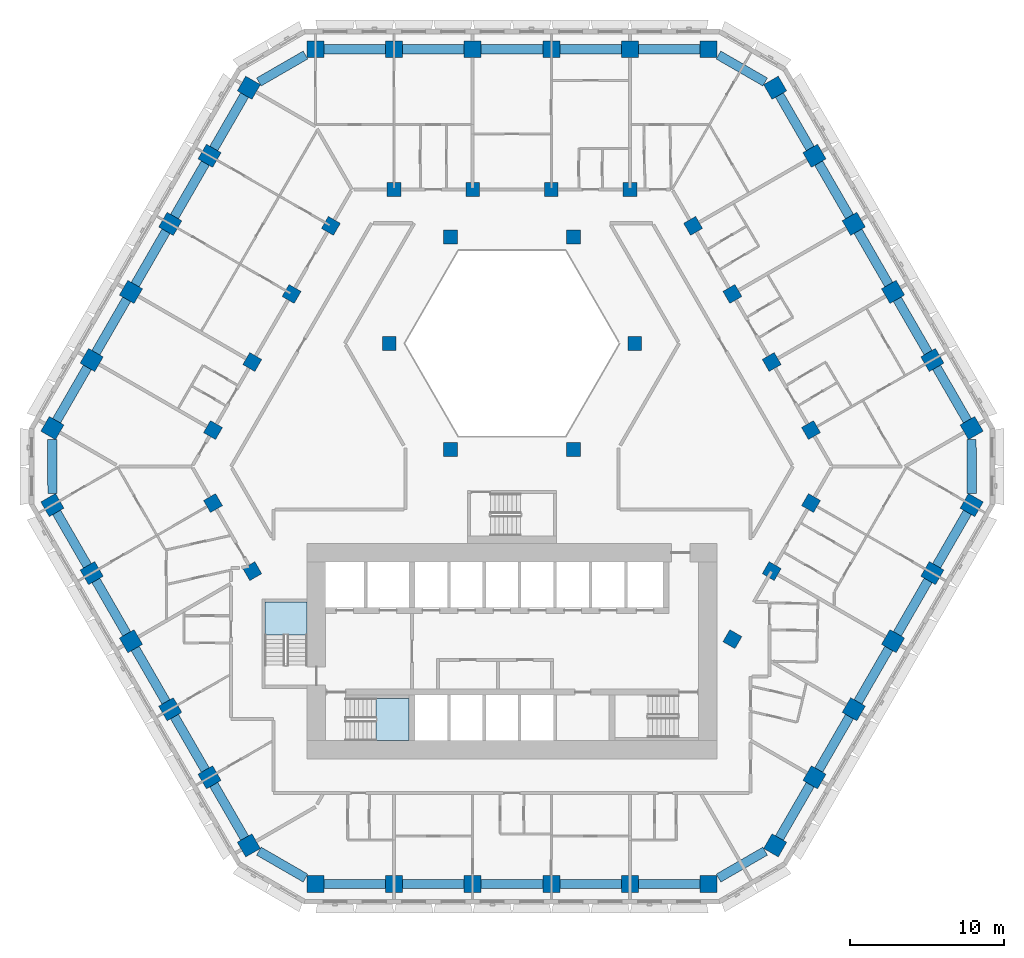
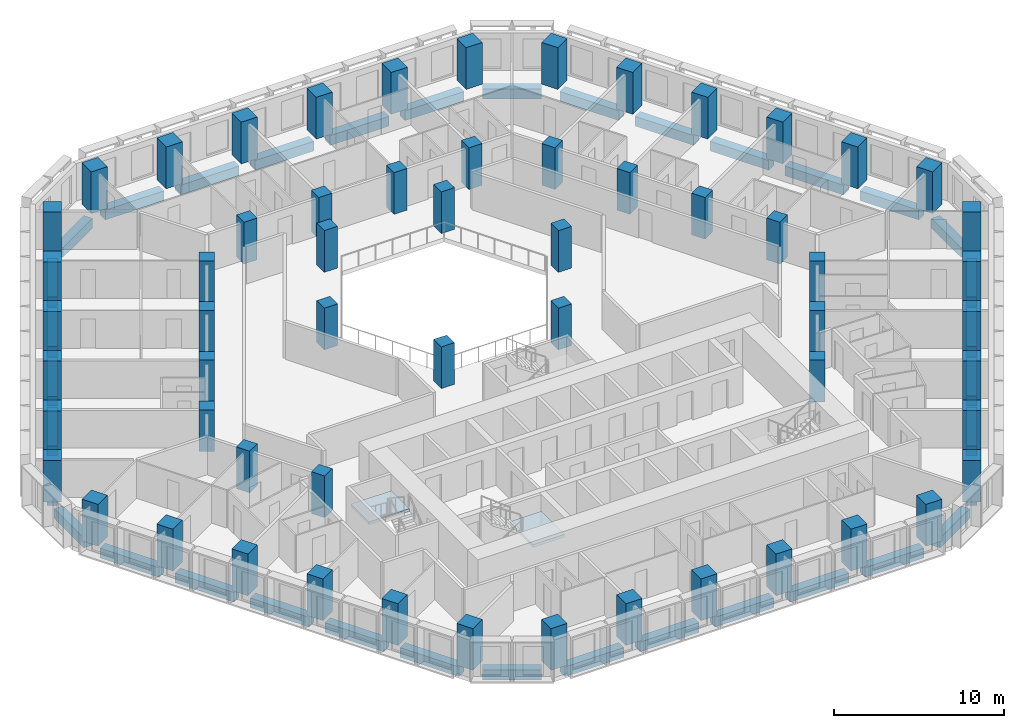
# One storey, part 1 of 21: 59 columns, 36 beams, 2 slabs, 2 elements without a shape of their own.
"""IFC4 building model written with IfcOpenShell, lengths in metres."""

from ifc_helpers import new_model, si_unit, direction, frame, origin, origin_2d, place, context, subcontext, project, spatial, polyline, rectangle, outline, extrude, material, layer, layer_set, material_profile, profile_set, type_object, element, aggregate, save


model = new_model("IFC4")

# Units and contexts
model_context = context("Model", 3, precision=1e-05, world=origin(), true_north=direction((0.0, 1.0)))
body_context = subcontext(model_context, "Body", "Model", "MODEL_VIEW")
ifc_project = project(units=[si_unit("LENGTHUNIT", "METRE"), si_unit("AREAUNIT", "SQUARE_METRE"), si_unit("VOLUMEUNIT", "CUBIC_METRE"), si_unit("PLANEANGLEUNIT", "RADIAN"), si_unit("MASSUNIT", "GRAM", prefix="KILO")], contexts=[model_context])

# Site, building, storey
site_placement = place(None, origin())
site = spatial("IfcSite", under=ifc_project, at=site_placement, CompositionType="ELEMENT")
building_placement = place(site_placement, origin())
building = spatial("IfcBuilding", under=site, at=building_placement, Name="Beryl Residences", CompositionType="ELEMENT")
storey_placement = place(building_placement, frame((0.0, 0.0, 41.39990234375)))
storey = spatial("IfcBuildingStorey", under=building, at=storey_placement, Name="L12", CompositionType="ELEMENT", Elevation=41.39990234375)

# Columns
ifc_material_1 = material(Name="Concrete C80/95", Category="concrete")
ifc_material_profile_1 = material_profile(ifc_material_1, rectangle(XDim=1.10009765625, YDim=1.10009765625, at=origin_2d()))
ifc_profile_set_1 = profile_set([ifc_material_profile_1], Name="Concrete C80/95")
column_type_1 = type_object("IfcColumnType", Name="C1 tube column 1100 x 1100 C80/95", PredefinedType="COLUMN", material=ifc_profile_set_1)
for number, where, z_axis, x_axis, name in (
    (1, (12.759033203125, 27.10009765625, 0.0), (0.0, 0.0, 1.0), (-1.0, 0.0, 0.0), "C1-N1 L12"),
    (2, (7.655029296875, 27.10009765625, 0.0), (0.0, 0.0, 1.0), (-1.0, 0.0, 0.0), "C1-N2 L12"),
    (3, (2.551025390625, 27.10009765625, 0.0), (0.0, 0.0, 1.0), (-1.0, 0.0, 0.0), "C1-N3 L12"),
    (4, (-2.552978515625, 27.10009765625, 0.0), (0.0, 0.0, 1.0), (-1.0, 0.0, 0.0), "C1-N4 L12"),
    (5, (-7.656982421875, 27.10009765625, 0.0), (0.0, 0.0, 1.0), (-1.0, 0.0, 0.0), "C1-N5 L12"),
    (6, (-12.760986328125, 27.10009765625, 0.0), (0.0, 0.0, 1.0), (-1.0, 0.0, 0.0), "C1-N6 L12"),
    (7, (-17.090087890625, 24.60009765625, 0.0), (0.0, 0.0, 1.0), (-0.499984884929, -0.866034130299, 0.0), "C1-NW1 L12"),
    (8, (-19.64208984375, 20.179931640625, 0.0), (0.0, 0.0, 1.0), (-0.499984884929, -0.866034130299, 0.0), "C1-NW2 L12"),
    (9, (-22.194091796875, 15.759033203125, 0.0), (0.0, 0.0, 1.0), (-0.499984884929, -0.866034130299, 0.0), "C1-NW3 L12"),
    (10, (-24.74609375, 11.339111328125, 0.0), (0.0, 0.0, 1.0), (-0.499984884929, -0.866034130299, 0.0), "C1-NW4 L12"),
    (11, (-27.298095703125, 6.9189453125, 0.0), (0.0, 0.0, 1.0), (-0.499984884929, -0.866034130299, 0.0), "C1-NW5 L12"),
    (12, (-29.84912109375, 2.4990234375, 0.0), (0.0, 0.0, 1.0), (-0.499984884929, -0.866034130299, 0.0), "C1-NW6 L12"),
    (13, (-29.847900390625, -2.5, 0.0), (0.0, 0.0, 1.0), (0.499984884929, -0.866034130299, 0.0), "C1-SW1 L12"),
    (14, (-27.297119140625, -6.9208984375, 0.0), (0.0, 0.0, 1.0), (0.499984884929, -0.866034130299, 0.0), "C1-SW2 L12"),
    (15, (-24.7451171875, -11.341064453125, 0.0), (0.0, 0.0, 1.0), (0.499984884929, -0.866034130299, 0.0), "C1-SW3 L12"),
    (16, (-22.193115234375, -15.760986328125, 0.0), (0.0, 0.0, 1.0), (0.499984884929, -0.866034130299, 0.0), "C1-SW4 L12"),
    (17, (-19.64111328125, -20.180908203125, 0.0), (0.0, 0.0, 1.0), (0.499984884929, -0.866034130299, 0.0), "C1-SW5 L12"),
    (18, (-17.089111328125, -24.60107421875, 0.0), (0.0, 0.0, 1.0), (0.499984884929, -0.866034130299, 0.0), "C1-SW6 L12"),
    (19, (-12.759033203125, -27.10009765625, 0.0), (0.0, 0.0, 1.0), (1.0, 0.0, 0.0), "C1-S1 L12"),
    (20, (-7.655029296875, -27.10009765625, 0.0), (0.0, 0.0, 1.0), (1.0, 0.0, 0.0), "C1-S2 L12"),
    (21, (-2.551025390625, -27.10009765625, 0.0), (0.0, 0.0, 1.0), (1.0, 0.0, 0.0), "C1-S3 L12"),
    (22, (2.552978515625, -27.10009765625, 0.0), (0.0, 0.0, 1.0), (1.0, 0.0, 0.0), "C1-S4 L12"),
    (23, (7.656982421875, -27.10009765625, 0.0), (0.0, 0.0, 1.0), (1.0, 0.0, 0.0), "C1-S5 L12"),
    (24, (12.760986328125, -27.10009765625, 0.0), (0.0, 0.0, 1.0), (1.0, 0.0, 0.0), "C1-S6 L12"),
    (25, (17.090087890625, -24.60009765625, 0.0), (0.0, 0.0, 1.0), (0.499984884929, 0.866034130299, 0.0), "C1-SE1 L12"),
    (26, (19.64208984375, -20.179931640625, 0.0), (0.0, 0.0, 1.0), (0.499984884929, 0.866034130299, 0.0), "C1-SE2 L12"),
    (27, (22.194091796875, -15.759033203125, 0.0), (0.0, 0.0, 1.0), (0.499984884929, 0.866034130299, 0.0), "C1-SE3 L12"),
    (28, (24.74609375, -11.339111328125, 0.0), (0.0, 0.0, 1.0), (0.499984884929, 0.866034130299, 0.0), "C1-SE4 L12"),
    (29, (27.298095703125, -6.9189453125, 0.0), (0.0, 0.0, 1.0), (0.499984884929, 0.866034130299, 0.0), "C1-SE5 L12"),
    (30, (29.84912109375, -2.4990234375, 0.0), (0.0, 0.0, 1.0), (0.499984884929, 0.866034130299, 0.0), "C1-SE6 L12"),
    (31, (29.847900390625, 2.5, 0.0), (0.0, 0.0, 1.0), (-0.499984884929, 0.866034130299, 0.0), "C1-NE1 L12"),
    (32, (27.297119140625, 6.9208984375, 0.0), (0.0, 0.0, 1.0), (-0.499984884929, 0.866034130299, 0.0), "C1-NE2 L12"),
    (33, (24.7451171875, 11.341064453125, 0.0), (0.0, 0.0, 1.0), (-0.499984884929, 0.866034130299, 0.0), "C1-NE3 L12"),
    (34, (22.193115234375, 15.760986328125, 0.0), (0.0, 0.0, 1.0), (-0.499984884929, 0.866034130299, 0.0), "C1-NE4 L12"),
    (35, (19.64111328125, 20.180908203125, 0.0), (0.0, 0.0, 1.0), (-0.499984884929, 0.866034130299, 0.0), "C1-NE5 L12"),
    (36, (17.089111328125, 24.60107421875, 0.0), (0.0, 0.0, 1.0), (-0.499984884929, 0.866034130299, 0.0), "C1-NE6 L12"),
):
    element("IfcColumn", number, at=place(storey_placement, frame(where, z_axis=z_axis, x_axis=x_axis)), inside=storey, type_object=column_type_1, Name=name, PredefinedType="COLUMN", context=body_context, shape_type="SweptSolid", body=[
        extrude(rectangle(XDim=1.10009765625, YDim=1.10009765625, at=origin_2d()), origin(), (0.0, 0.0, 1.0), 3.0),
    ])
ifc_material_2 = material(Name="Concrete C80/95", Category="concrete")
ifc_material_profile_2 = material_profile(ifc_material_2, rectangle(XDim=0.89990234375, YDim=0.89990234375, at=origin_2d()))
ifc_profile_set_2 = profile_set([ifc_material_profile_2], Name="Concrete C80/95")
column_type_2 = type_object("IfcColumnType", Name="IC1 interior column 900 x 900 C80/95", PredefinedType="COLUMN", material=ifc_profile_set_2)
for number, where, z_axis, x_axis, name in (
    (37, (-19.416015625, -2.37109375, 0.0), (0.0, 0.0, 1.0), (0.499984884929, -0.866034130299, 0.0), "IC1-M01 L12"),
    (38, (-16.864013671875, -6.791015625, 0.0), (0.0, 0.0, 1.0), (0.499984884929, -0.866034130299, 0.0), "IC1-M02 L12"),
    (39, (14.31298828125, -11.208984375, 0.0), (0.0, 0.0, 1.0), (0.499984884929, 0.866034130299, 0.0), "IC1-M03 L12"),
    (40, (16.864990234375, -6.7890625, 0.0), (0.0, 0.0, 1.0), (0.499984884929, 0.866034130299, 0.0), "IC1-M04 L12"),
    (41, (19.4169921875, -2.368896484375, 0.0), (0.0, 0.0, 1.0), (0.499984884929, 0.866034130299, 0.0), "IC1-M05 L12"),
    (42, (19.416015625, 2.37109375, 0.0), (0.0, 0.0, 1.0), (-0.499984884929, 0.866034130299, 0.0), "IC1-M06 L12"),
    (43, (3.98388671875, 1.10009765625, 0.0), (0.0, 0.0, 1.0), (1.0, 0.0, 0.0), "IC1-A07 L12"),
    (44, (16.864013671875, 6.791015625, 0.0), (0.0, 0.0, 1.0), (-0.499984884929, 0.866034130299, 0.0), "IC1-M08 L12"),
    (45, (14.31201171875, 11.2109375, 0.0), (0.0, 0.0, 1.0), (-0.499984884929, 0.866034130299, 0.0), "IC1-M09 L12"),
    (46, (7.967041015625, 8.0, 0.0), (0.0, 0.0, 1.0), (1.0, 0.0, 0.0), "IC1-A10 L12"),
    (47, (11.760009765625, 15.631103515625, 0.0), (0.0, 0.0, 1.0), (-0.499984884929, 0.866034130299, 0.0), "IC1-M11 L12"),
    (48, (7.655029296875, 18.0, 0.0), (0.0, 0.0, 1.0), (-1.0, 0.0, 0.0), "IC1-M12 L12"),
    (49, (3.98388671875, 14.89990234375, 0.0), (0.0, 0.0, 1.0), (1.0, 0.0, 0.0), "IC1-A13 L12"),
    (50, (2.551025390625, 18.0, 0.0), (0.0, 0.0, 1.0), (-1.0, 0.0, 0.0), "IC1-M14 L12"),
    (51, (-2.552978515625, 18.0, 0.0), (0.0, 0.0, 1.0), (-1.0, 0.0, 0.0), "IC1-M15 L12"),
    (52, (-3.98388671875, 14.89990234375, 0.0), (0.0, 0.0, 1.0), (1.0, 0.0, 0.0), "IC1-A16 L12"),
    (53, (-7.656982421875, 18.0, 0.0), (0.0, 0.0, 1.0), (-1.0, 0.0, 0.0), "IC1-M17 L12"),
    (54, (-11.760986328125, 15.6298828125, 0.0), (0.0, 0.0, 1.0), (-0.499984884929, -0.866034130299, 0.0), "IC1-M18 L12"),
    (55, (-7.967041015625, 8.0, 0.0), (0.0, 0.0, 1.0), (1.0, 0.0, 0.0), "IC1-A19 L12"),
    (56, (-14.31298828125, 11.208984375, 0.0), (0.0, 0.0, 1.0), (-0.499984884929, -0.866034130299, 0.0), "IC1-M20 L12"),
    (57, (-16.864990234375, 6.7890625, 0.0), (0.0, 0.0, 1.0), (-0.499984884929, -0.866034130299, 0.0), "IC1-M21 L12"),
    (58, (-3.98388671875, 1.10009765625, 0.0), (0.0, 0.0, 1.0), (1.0, 0.0, 0.0), "IC1-A22 L12"),
    (59, (-19.4169921875, 2.368896484375, 0.0), (0.0, 0.0, 1.0), (-0.499984884929, -0.866034130299, 0.0), "IC1-M23 L12"),
):
    element("IfcColumn", number, at=place(storey_placement, frame(where, z_axis=z_axis, x_axis=x_axis)), inside=storey, type_object=column_type_2, Name=name, PredefinedType="COLUMN", context=body_context, shape_type="SweptSolid", body=[
        extrude(rectangle(XDim=0.89990234375, YDim=0.89990234375, at=origin_2d()), origin(), (0.0, 0.0, 1.0), 3.0),
    ])

# Beams
ifc_material_3 = material(Name="Concrete C80/95", Category="concrete")
ifc_material_profile_3 = material_profile(ifc_material_3, rectangle(XDim=0.60009765625, YDim=0.699951171875, at=origin_2d()))
ifc_profile_set_3 = profile_set([ifc_material_profile_3], Name="Concrete C80/95")
beam_type = type_object("IfcBeamType", Name="SB1 spandrel beam 600 x 700 C80/95", PredefinedType="SPANDREL", material=ifc_profile_set_3)
for number, where, z_axis, x_axis, name in (
    (60, (12.208984375, 27.10009765625, -0.64990234375), (-1.0, 0.0, 0.0), (0.0, -1.0, 0.0), "SB1 L12 N-0"),
    (61, (7.10498046875, 27.10009765625, -0.64990234375), (-1.0, 0.0, 0.0), (0.0, -1.0, 0.0), "SB1 L12 N-1"),
    (62, (2.0009765625, 27.10009765625, -0.64990234375), (-1.0, 0.0, 0.0), (0.0, -1.0, 0.0), "SB1 L12 N-2"),
    (63, (-3.10302734375, 27.10009765625, -0.64990234375), (-1.0, 0.0, 0.0), (0.0, -1.0, 0.0), "SB1 L12 N-3"),
    (64, (-8.20703125, 27.10009765625, -0.64990234375), (-1.0, 0.0, 0.0), (0.0, -1.0, 0.0), "SB1 L12 N-4"),
):
    element("IfcBeam", number, at=place(storey_placement, frame(where, z_axis=z_axis, x_axis=x_axis)), inside=storey, type_object=beam_type, Name=name, PredefinedType="SPANDREL", context=body_context, shape_type="SweptSolid", body=[
        extrude(rectangle(XDim=0.60009765625, YDim=0.699951171875, at=origin_2d()), origin(), (0.0, 0.0, 1.0), 4.00390625),
    ])
beam_1_placement = place(storey_placement, frame((-13.410888671875, 26.72412109375, -0.64990234375), z_axis=(-0.866121658299, -0.499833245218, 0.0), x_axis=(0.499833245218, -0.866121658299, 0.0)))
element("IfcBeam", 65, at=beam_1_placement, inside=storey, type_object=beam_type, Name="SB1 L12 N-5", PredefinedType="SPANDREL", context=body_context, shape_type="SweptSolid", body=[
    extrude(rectangle(XDim=0.60009765625, YDim=0.699951171875, at=origin_2d()), origin(), (0.0, 0.0, 1.0), 3.497314453125),
])
beam_2_placement = place(storey_placement, frame((-17.364990234375, 24.1240234375, -0.64990234375), z_axis=(-0.499942357345, -0.866058681229, 0.0), x_axis=(0.866058681229, -0.499942357345, 0.0)))
element("IfcBeam", 66, at=beam_2_placement, inside=storey, type_object=beam_type, Name="SB1 L12 NW-0", PredefinedType="SPANDREL", context=body_context, shape_type="SweptSolid", body=[
    extrude(rectangle(XDim=0.60009765625, YDim=0.699951171875, at=origin_2d()), origin(), (0.0, 0.0, 1.0), 4.00439453125),
])
beam_3_placement = place(storey_placement, frame((-19.9169921875, 19.7041015625, -0.64990234375), z_axis=(-0.499836783367, -0.866119616446, 0.0), x_axis=(0.866119616446, -0.499836783367, 0.0)))
element("IfcBeam", 67, at=beam_3_placement, inside=storey, type_object=beam_type, Name="SB1 L12 NW-1", PredefinedType="SPANDREL", context=body_context, shape_type="SweptSolid", body=[
    extrude(rectangle(XDim=0.60009765625, YDim=0.699951171875, at=origin_2d()), origin(), (0.0, 0.0, 1.0), 4.005126953125),
])
for number, where, z_axis, x_axis, name in (
    (68, (-22.468994140625, 15.282958984375, -0.64990234375), (-0.499942357345, -0.866058681229, 0.0), (0.866058681229, -0.499942357345, 0.0), "SB1 L12 NW-2"),
    (69, (-25.02099609375, 10.863037109375, -0.64990234375), (-0.499942357345, -0.866058681229, 0.0), (0.866058681229, -0.499942357345, 0.0), "SB1 L12 NW-3"),
):
    element("IfcBeam", number, at=place(storey_placement, frame(where, z_axis=z_axis, x_axis=x_axis)), inside=storey, type_object=beam_type, Name=name, PredefinedType="SPANDREL", context=body_context, shape_type="SweptSolid", body=[
        extrude(rectangle(XDim=0.60009765625, YDim=0.699951171875, at=origin_2d()), origin(), (0.0, 0.0, 1.0), 4.00439453125),
    ])
beam_4_placement = place(storey_placement, frame((-27.572998046875, 6.443115234375, -0.64990234375), z_axis=(-0.499759404093, -0.866164267342, 0.0), x_axis=(0.866164267342, -0.499759404093, 0.0)))
element("IfcBeam", 70, at=beam_4_placement, inside=storey, type_object=beam_type, Name="SB1 L12 NW-4", PredefinedType="SPANDREL", context=body_context, shape_type="SweptSolid", body=[
    extrude(rectangle(XDim=0.60009765625, YDim=0.699951171875, at=origin_2d()), origin(), (0.0, 0.0, 1.0), 4.00390625),
])
beam_5_placement = place(storey_placement, frame((-29.84912109375, 1.748046875, -0.64990234375), z_axis=(0.000349064486, -0.999999939077, 0.0), x_axis=(0.999999939077, 0.000349064486, 0.0)))
element("IfcBeam", 71, at=beam_5_placement, inside=storey, type_object=beam_type, Name="SB1 L12 NW-5", PredefinedType="SPANDREL", context=body_context, shape_type="SweptSolid", body=[
    extrude(rectangle(XDim=0.60009765625, YDim=0.699951171875, at=origin_2d()), origin(), (0.0, 0.0, 1.0), 3.4970703125),
])
beam_6_placement = place(storey_placement, frame((-29.572998046875, -2.97607421875, -0.64990234375), z_axis=(0.499653843024, -0.866225165388, 0.0), x_axis=(0.866225165388, 0.499653843024, 0.0)))
element("IfcBeam", 72, at=beam_6_placement, inside=storey, type_object=beam_type, Name="SB1 L12 SW-0", PredefinedType="SPANDREL", context=body_context, shape_type="SweptSolid", body=[
    extrude(rectangle(XDim=0.60009765625, YDim=0.699951171875, at=origin_2d()), origin(), (0.0, 0.0, 1.0), 4.004638671875),
])
for number, where, z_axis, x_axis, name in (
    (73, (-27.02197265625, -7.39697265625, -0.64990234375), (0.499942357345, -0.866058681229, 0.0), (0.866058681229, 0.499942357345, 0.0), "SB1 L12 SW-1"),
    (74, (-24.469970703125, -11.81689453125, -0.64990234375), (0.499942357345, -0.866058681229, 0.0), (0.866058681229, 0.499942357345, 0.0), "SB1 L12 SW-2"),
    (75, (-21.91796875, -16.237060546875, -0.64990234375), (0.499942357345, -0.866058681229, 0.0), (0.866058681229, 0.499942357345, 0.0), "SB1 L12 SW-3"),
    (76, (-19.365966796875, -20.656982421875, -0.64990234375), (0.499942357345, -0.866058681229, 0.0), (0.866058681229, 0.499942357345, 0.0), "SB1 L12 SW-4"),
):
    element("IfcBeam", number, at=place(storey_placement, frame(where, z_axis=z_axis, x_axis=x_axis)), inside=storey, type_object=beam_type, Name=name, PredefinedType="SPANDREL", context=body_context, shape_type="SweptSolid", body=[
        extrude(rectangle(XDim=0.60009765625, YDim=0.699951171875, at=origin_2d()), origin(), (0.0, 0.0, 1.0), 4.00439453125),
    ])
beam_7_placement = place(storey_placement, frame((-16.43896484375, -24.97607421875, -0.64990234375), z_axis=(0.866070549782, -0.499921796684, 0.0), x_axis=(0.499921796684, 0.866070549782, 0.0)))
element("IfcBeam", 77, at=beam_7_placement, inside=storey, type_object=beam_type, Name="SB1 L12 SW-5", PredefinedType="SPANDREL", context=body_context, shape_type="SweptSolid", body=[
    extrude(rectangle(XDim=0.60009765625, YDim=0.699951171875, at=origin_2d()), origin(), (0.0, 0.0, 1.0), 3.49853515625),
])
for number, where, z_axis, x_axis, name in (
    (78, (-12.208984375, -27.10009765625, -0.64990234375), (1.0, 0.0, 0.0), (0.0, 1.0, 0.0), "SB1 L12 S-0"),
    (79, (-7.10498046875, -27.10009765625, -0.64990234375), (1.0, 0.0, 0.0), (0.0, 1.0, 0.0), "SB1 L12 S-1"),
    (80, (-2.0009765625, -27.10009765625, -0.64990234375), (1.0, 0.0, 0.0), (0.0, 1.0, 0.0), "SB1 L12 S-2"),
    (81, (3.10302734375, -27.10009765625, -0.64990234375), (1.0, 0.0, 0.0), (0.0, 1.0, 0.0), "SB1 L12 S-3"),
    (82, (8.20703125, -27.10009765625, -0.64990234375), (1.0, 0.0, 0.0), (0.0, 1.0, 0.0), "SB1 L12 S-4"),
):
    element("IfcBeam", number, at=place(storey_placement, frame(where, z_axis=z_axis, x_axis=x_axis)), inside=storey, type_object=beam_type, Name=name, PredefinedType="SPANDREL", context=body_context, shape_type="SweptSolid", body=[
        extrude(rectangle(XDim=0.60009765625, YDim=0.699951171875, at=origin_2d()), origin(), (0.0, 0.0, 1.0), 4.00390625),
    ])
beam_8_placement = place(storey_placement, frame((13.410888671875, -26.72412109375, -0.64990234375), z_axis=(0.866121658299, 0.499833245218, 0.0), x_axis=(-0.499833245218, 0.866121658299, 0.0)))
element("IfcBeam", 83, at=beam_8_placement, inside=storey, type_object=beam_type, Name="SB1 L12 S-5", PredefinedType="SPANDREL", context=body_context, shape_type="SweptSolid", body=[
    extrude(rectangle(XDim=0.60009765625, YDim=0.699951171875, at=origin_2d()), origin(), (0.0, 0.0, 1.0), 3.497314453125),
])
beam_9_placement = place(storey_placement, frame((17.364990234375, -24.1240234375, -0.64990234375), z_axis=(0.499942357345, 0.866058681229, 0.0), x_axis=(-0.866058681229, 0.499942357345, 0.0)))
element("IfcBeam", 84, at=beam_9_placement, inside=storey, type_object=beam_type, Name="SB1 L12 SE-0", PredefinedType="SPANDREL", context=body_context, shape_type="SweptSolid", body=[
    extrude(rectangle(XDim=0.60009765625, YDim=0.699951171875, at=origin_2d()), origin(), (0.0, 0.0, 1.0), 4.00439453125),
])
beam_10_placement = place(storey_placement, frame((19.9169921875, -19.7041015625, -0.64990234375), z_axis=(0.499836783367, 0.866119616446, 0.0), x_axis=(-0.866119616446, 0.499836783367, 0.0)))
element("IfcBeam", 85, at=beam_10_placement, inside=storey, type_object=beam_type, Name="SB1 L12 SE-1", PredefinedType="SPANDREL", context=body_context, shape_type="SweptSolid", body=[
    extrude(rectangle(XDim=0.60009765625, YDim=0.699951171875, at=origin_2d()), origin(), (0.0, 0.0, 1.0), 4.005126953125),
])
for number, where, z_axis, x_axis, name in (
    (86, (22.468994140625, -15.282958984375, -0.64990234375), (0.499942357345, 0.866058681229, 0.0), (-0.866058681229, 0.499942357345, 0.0), "SB1 L12 SE-2"),
    (87, (25.02099609375, -10.863037109375, -0.64990234375), (0.499942357345, 0.866058681229, 0.0), (-0.866058681229, 0.499942357345, 0.0), "SB1 L12 SE-3"),
):
    element("IfcBeam", number, at=place(storey_placement, frame(where, z_axis=z_axis, x_axis=x_axis)), inside=storey, type_object=beam_type, Name=name, PredefinedType="SPANDREL", context=body_context, shape_type="SweptSolid", body=[
        extrude(rectangle(XDim=0.60009765625, YDim=0.699951171875, at=origin_2d()), origin(), (0.0, 0.0, 1.0), 4.00439453125),
    ])
beam_11_placement = place(storey_placement, frame((27.572998046875, -6.443115234375, -0.64990234375), z_axis=(0.499759404093, 0.866164267342, 0.0), x_axis=(-0.866164267342, 0.499759404093, 0.0)))
element("IfcBeam", 88, at=beam_11_placement, inside=storey, type_object=beam_type, Name="SB1 L12 SE-4", PredefinedType="SPANDREL", context=body_context, shape_type="SweptSolid", body=[
    extrude(rectangle(XDim=0.60009765625, YDim=0.699951171875, at=origin_2d()), origin(), (0.0, 0.0, 1.0), 4.00390625),
])
beam_12_placement = place(storey_placement, frame((29.84912109375, -1.748046875, -0.64990234375), z_axis=(-0.000349064486, 0.999999939077, 0.0), x_axis=(-0.999999939077, -0.000349064486, 0.0)))
element("IfcBeam", 89, at=beam_12_placement, inside=storey, type_object=beam_type, Name="SB1 L12 SE-5", PredefinedType="SPANDREL", context=body_context, shape_type="SweptSolid", body=[
    extrude(rectangle(XDim=0.60009765625, YDim=0.699951171875, at=origin_2d()), origin(), (0.0, 0.0, 1.0), 3.4970703125),
])
beam_13_placement = place(storey_placement, frame((29.572998046875, 2.97607421875, -0.64990234375), z_axis=(-0.499653843024, 0.866225165388, 0.0), x_axis=(-0.866225165388, -0.499653843024, 0.0)))
element("IfcBeam", 90, at=beam_13_placement, inside=storey, type_object=beam_type, Name="SB1 L12 NE-0", PredefinedType="SPANDREL", context=body_context, shape_type="SweptSolid", body=[
    extrude(rectangle(XDim=0.60009765625, YDim=0.699951171875, at=origin_2d()), origin(), (0.0, 0.0, 1.0), 4.004638671875),
])
for number, where, z_axis, x_axis, name in (
    (91, (27.02197265625, 7.39697265625, -0.64990234375), (-0.499942357345, 0.866058681229, 0.0), (-0.866058681229, -0.499942357345, 0.0), "SB1 L12 NE-1"),
    (92, (24.469970703125, 11.81689453125, -0.64990234375), (-0.499942357345, 0.866058681229, 0.0), (-0.866058681229, -0.499942357345, 0.0), "SB1 L12 NE-2"),
    (93, (21.91796875, 16.237060546875, -0.64990234375), (-0.499942357345, 0.866058681229, 0.0), (-0.866058681229, -0.499942357345, 0.0), "SB1 L12 NE-3"),
    (94, (19.365966796875, 20.656982421875, -0.64990234375), (-0.499942357345, 0.866058681229, 0.0), (-0.866058681229, -0.499942357345, 0.0), "SB1 L12 NE-4"),
):
    element("IfcBeam", number, at=place(storey_placement, frame(where, z_axis=z_axis, x_axis=x_axis)), inside=storey, type_object=beam_type, Name=name, PredefinedType="SPANDREL", context=body_context, shape_type="SweptSolid", body=[
        extrude(rectangle(XDim=0.60009765625, YDim=0.699951171875, at=origin_2d()), origin(), (0.0, 0.0, 1.0), 4.00439453125),
    ])
beam_14_placement = place(storey_placement, frame((16.43896484375, 24.97607421875, -0.64990234375), z_axis=(-0.866070549782, 0.499921796684, 0.0), x_axis=(-0.499921796684, -0.866070549782, 0.0)))
element("IfcBeam", 95, at=beam_14_placement, inside=storey, type_object=beam_type, Name="SB1 L12 NE-5", PredefinedType="SPANDREL", context=body_context, shape_type="SweptSolid", body=[
    extrude(rectangle(XDim=0.60009765625, YDim=0.699951171875, at=origin_2d()), origin(), (0.0, 0.0, 1.0), 3.49853515625),
])

# Stair, slab
ifc_material_4 = material(Name="Concrete C40/50", Category="concrete")
stair_type = type_object("IfcStairType", Name="ST1 protected exit stair, half-turn, 1300 mm flights", PredefinedType="HALF_TURN_STAIR", material=ifc_material_4)
stair_1_placement = place(storey_placement, origin())
stair_1 = element("IfcStair", 96, at=stair_1_placement, inside=storey, type_object=stair_type, Name="L12 PROTECTED EXIT STAIR ST-1", PredefinedType="HALF_TURN_STAIR")
ifc_material_5 = material(Name="Concrete C40/50", Category="concrete")
ifc_layer = layer(ifc_material_5, 0.199951171875)
ifc_layer_set = layer_set([ifc_layer], Name="SLD1 stair landing 200 mm")
slab_type = type_object("IfcSlabType", Name="SLD1 stair landing 200 mm", PredefinedType="LANDING", material=ifc_layer_set)
slab_1_placement = place(storey_placement, frame((0.0, 0.0, 1.300048828125)))
slab_1 = element("IfcSlab", 97, at=slab_1_placement, type_object=slab_type, Name="ST-1 landing 1", PredefinedType="LANDING", context=body_context, shape_type="SweptSolid", body=[
    extrude(outline(polyline([(-8.840087890625, -17.800048828125), (-6.699951171875, -17.800048828125), (-6.699951171875, -15.050048828125), (-8.840087890625, -15.050048828125), (-8.840087890625, -17.800048828125)])), origin(), (0.0, 0.0, 1.0), 0.199951171875),
])
aggregate(stair_1, [slab_1])

stair_2_placement = place(storey_placement, origin())
stair_2 = element("IfcStair", 98, at=stair_2_placement, inside=storey, type_object=stair_type, Name="L12 PROTECTED EXIT STAIR ST-2", PredefinedType="HALF_TURN_STAIR")
slab_2_placement = place(storey_placement, frame((0.0, 0.0, 1.300048828125)))
slab_2 = element("IfcSlab", 99, at=slab_2_placement, type_object=slab_type, Name="ST-2 landing 1", PredefinedType="LANDING", context=body_context, shape_type="SweptSolid", body=[
    extrude(outline(polyline([(-13.300048828125, -10.93994140625), (-13.300048828125, -8.800048828125), (-16.050048828125, -8.800048828125), (-16.050048828125, -10.93994140625), (-13.300048828125, -10.93994140625)])), origin(), (0.0, 0.0, 1.0), 0.199951171875),
])
aggregate(stair_2, [slab_2])

save(model, "model.ifc")
